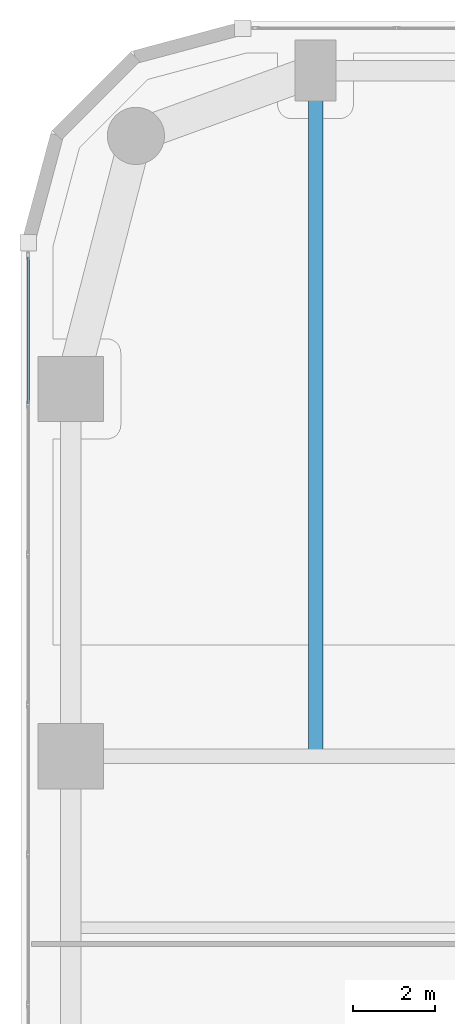
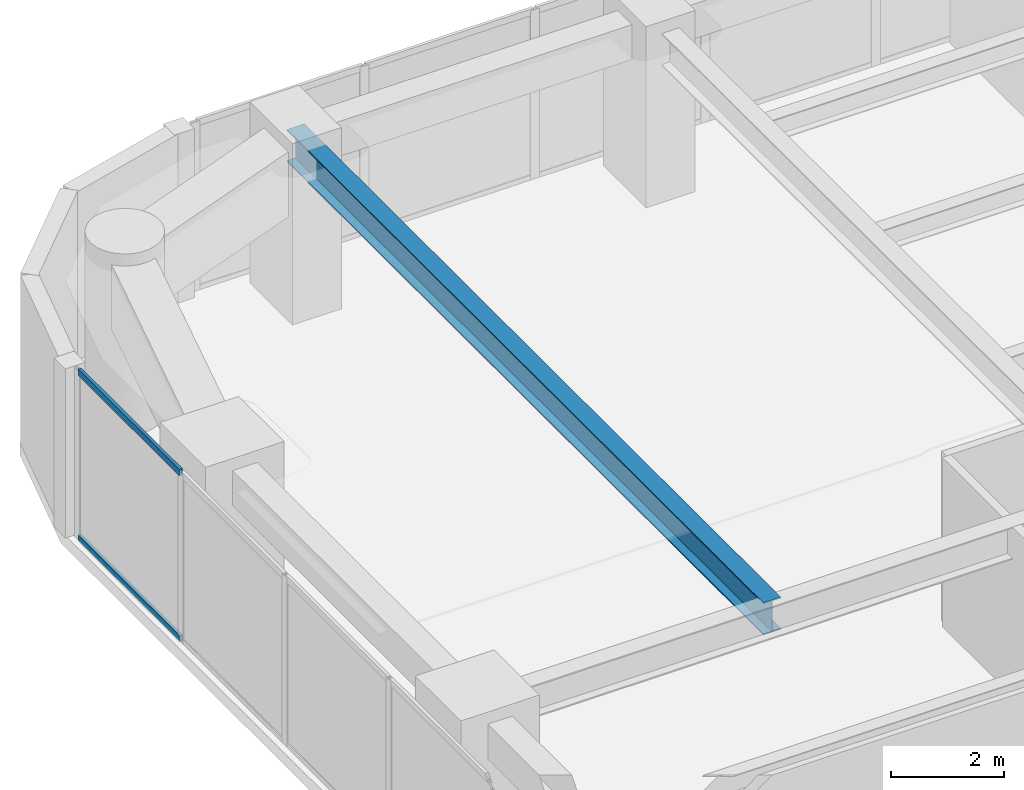
# One storey, part 13 of 28: 2 members, 1 beam, 1 element without a shape of its own.
"""IFC4 building model written with IfcOpenShell, lengths in metres."""

from ifc_helpers import new_model, si_unit, direction, frame, origin, origin_2d, place, context, subcontext, project, spatial, hollow_rectangle, i_section, extrude, material, layer, layer_set, material_profile, profile_set, type_object, element, aggregate, save


model = new_model("IFC4")

# Units and contexts
model_context = context("Model", 3, precision=1e-05, world=origin(), true_north=direction((0.0, 1.0)))
body_context = subcontext(model_context, "Body", "Model", "MODEL_VIEW")
ifc_project = project(units=[si_unit("LENGTHUNIT", "METRE"), si_unit("AREAUNIT", "SQUARE_METRE"), si_unit("VOLUMEUNIT", "CUBIC_METRE"), si_unit("PLANEANGLEUNIT", "RADIAN"), si_unit("MASSUNIT", "GRAM", prefix="KILO")], contexts=[model_context])

# Site, building, storey
site_placement = place(None, origin())
site = spatial("IfcSite", under=ifc_project, at=site_placement, CompositionType="ELEMENT")
building_placement = place(site_placement, origin())
building = spatial("IfcBuilding", under=site, at=building_placement, Name="Kiyonajd Concourse Tower", CompositionType="ELEMENT")
storey_placement = place(building_placement, frame((0.0, 0.0, 41.10009765625)))
storey = spatial("IfcBuildingStorey", under=building, at=storey_placement, Name="L11", CompositionType="ELEMENT", Elevation=41.10009765625)

# Beam
ifc_material_1 = material(Name="Steel ASTM A992 Grade 50", Category="steel")
ifc_material_profile_1 = material_profile(ifc_material_1, i_section(OverallWidth=0.35498046875, OverallDepth=0.695068359375, WebThickness=0.015380859375, FlangeThickness=0.02490234375, at=origin_2d()), Name="W690X217")
ifc_profile_set_1 = profile_set([ifc_material_profile_1], Name="Steel ASTM A992 Grade 50")
beam_type = type_object("IfcBeamType", Name="BM-TWR-690", PredefinedType="BEAM", material=ifc_profile_set_1)
beam_placement = place(storey_placement, frame((25.199951171875, 44.39990234375, 3.29248046875), z_axis=(0.0, 1.0, 0.0), x_axis=(-1.0, 0.0, 0.0)))
element("IfcBeam", 1, at=beam_placement, inside=storey, type_object=beam_type, Name="L11 North Lease Girder", PredefinedType="BEAM", context=body_context, shape_type="SweptSolid", body=[
    extrude(i_section(OverallWidth=0.35498046875, OverallDepth=0.695068359375, WebThickness=0.015380859375, FlangeThickness=0.02490234375, at=origin_2d()), origin(), (0.0, 0.0, 1.0), 16.800048828125),
])

# Curtain wall, members
ifc_material_2 = material(Name="Thermally Broken Anodised Aluminium", Category="aluminium")
ifc_layer = layer(ifc_material_2, 0.179931640625)
ifc_layer_set = layer_set([ifc_layer], Name="Thermally Broken Anodised Aluminium")
curtain_wall_type = type_object("IfcCurtainWallType", Name="CW-SYS-02", PredefinedType="NOTDEFINED", material=ifc_layer_set)
curtain_wall_placement = place(storey_placement, origin())
curtain_wall = element("IfcCurtainWall", 2, at=curtain_wall_placement, inside=storey, type_object=curtain_wall_type, Name="L11 Unitised Curtain Wall CW2", PredefinedType="NOTDEFINED")
ifc_material_profile_2 = material_profile(ifc_material_2, hollow_rectangle(XDim=0.06494140625, YDim=0.139892578125, WallThickness=0.00390625, at=origin_2d()), Name="TRAN-65x140")
ifc_profile_set_2 = profile_set([ifc_material_profile_2], Name="Thermally Broken Anodised Aluminium")
member_type = type_object("IfcMemberType", Name="MB-CW-TRAN1", PredefinedType="USERDEFINED", material=ifc_profile_set_2)
member_1_placement = place(storey_placement, frame((18.159912109375, 53.04833984375, 0.032470703125), z_axis=(0.0, 1.0, 0.0), x_axis=(-1.0, 0.0, 0.0)))
member_1 = element("IfcMember", 3, at=member_1_placement, type_object=member_type, Name="CW2 transom 6.1", ObjectType="TRANSOM", PredefinedType="USERDEFINED", context=body_context, shape_type="SweptSolid", body=[
    extrude(hollow_rectangle(XDim=0.06494140625, YDim=0.139892578125, WallThickness=0.00390625, at=origin_2d()), origin(), (0.0, 0.0, 1.0), 3.575439453125),
])
member_2_placement = place(storey_placement, frame((18.159912109375, 53.04833984375, 3.607421875), z_axis=(0.0, 1.0, 0.0), x_axis=(-1.0, 0.0, 0.0)))
member_2 = element("IfcMember", 4, at=member_2_placement, type_object=member_type, Name="CW2 transom 6.2", ObjectType="TRANSOM", PredefinedType="USERDEFINED", context=body_context, shape_type="SweptSolid", body=[
    extrude(hollow_rectangle(XDim=0.06494140625, YDim=0.139892578125, WallThickness=0.00390625, at=origin_2d()), origin(), (0.0, 0.0, 1.0), 3.575439453125),
])
aggregate(curtain_wall, [member_1, member_2])

save(model, "model.ifc")
